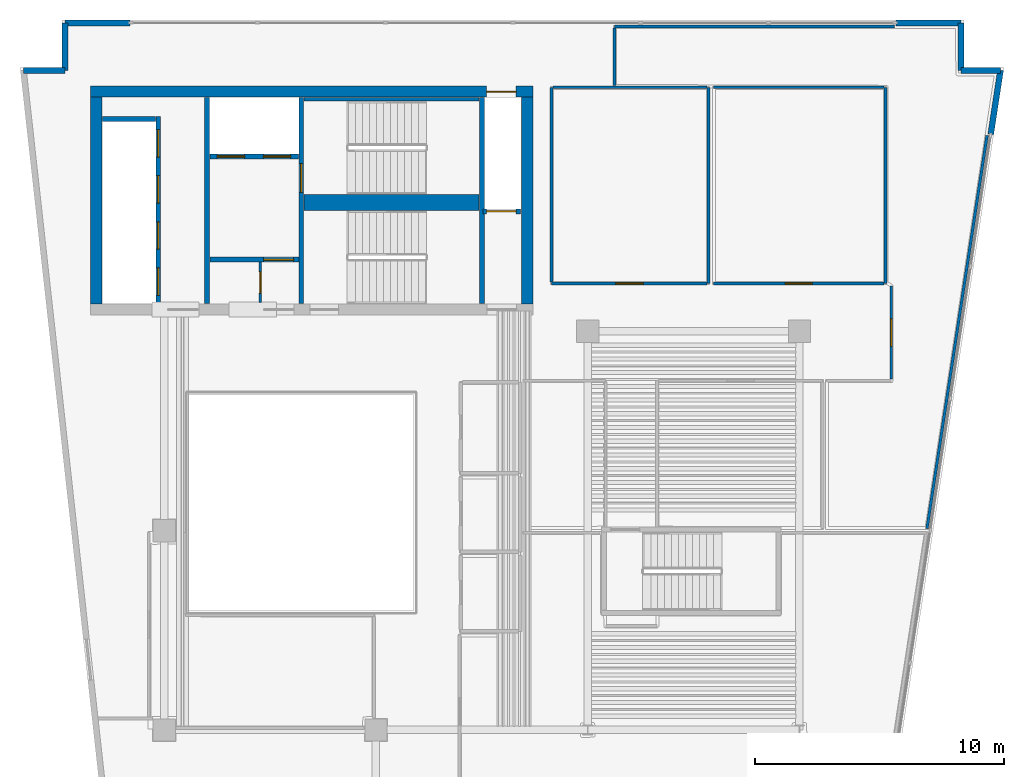
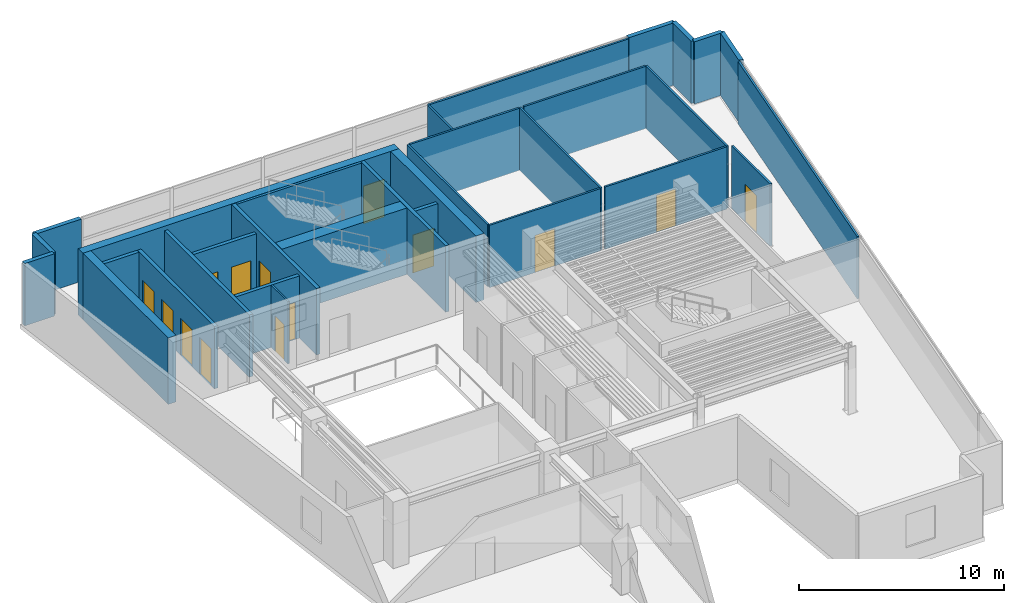
# One storey, part 5 of 8: 32 walls, 14 doors, 14 openings.
"""IFC4 building model written with IfcOpenShell, lengths in metres."""

import ifcopenshell
import ifcopenshell.guid

model = None  # the IFC model being written
_history = None  # IfcOwnerHistory: only IFC2X3 demands one
_inside = {}  # id of a spatial element -> (the spatial element, [elements in it])
_under = {}  # id of a project, library or spatial element -> (it, [spatial elements below it])
_declared = {}  # id of a project -> (the project, [libraries it declares])
_typed = {}  # id of a type object -> (the type object, [elements of that type])
_made_of = {}  # id of a material, layer set ... -> (it, [elements and type objects made of it])


def new_model(schema):
    """Start an empty IFC model of exactly this schema.

    Asked for "IFC4X3", IfcOpenShell would pick the latest addendum, in which some entities
    have other attributes; the version numbers below select the first issue.
    IFC2X3 requires an IfcOwnerHistory on every rooted entity: one is made here for all.
    """
    global model, _history
    if schema == "IFC4X3":
        model = ifcopenshell.file(schema_version=(4, 3, 0, 0))
    else:
        model = ifcopenshell.file(schema=schema)
    _inside.clear()
    _under.clear()
    _declared.clear()
    _typed.clear()
    _made_of.clear()
    _history = None
    if model.schema == "IFC2X3":
        org = make("IfcOrganization", Name="unknown")
        user = make(
            "IfcPersonAndOrganization",
            ThePerson=make("IfcPerson", FamilyName="unknown"),
            TheOrganization=org,
        )
        app = make(
            "IfcApplication",
            ApplicationDeveloper=org,
            Version="unknown",
            ApplicationFullName="unknown",
            ApplicationIdentifier="unknown",
        )
        _history = make(
            "IfcOwnerHistory",
            OwningUser=user,
            OwningApplication=app,
            ChangeAction="ADDED",
            CreationDate=0,
        )
    return model


def make(cls, **values):
    """One entity of the class cls with the attributes given. An attribute that is None is left unset."""
    return model.create_entity(
        cls, **{name: value for name, value in values.items() if value is not None}
    )


def rooted(cls, **values):
    """An entity with a GlobalId (a new one), such as an element, a storey or a relation."""
    return make(cls, GlobalId=ifcopenshell.guid.new(), OwnerHistory=_history, **values)


def si_unit(unit_type, name, prefix=None):
    """IfcSIUnit, for example si_unit("LENGTHUNIT", "METRE", prefix="MILLI")."""
    return make("IfcSIUnit", UnitType=unit_type, Prefix=prefix, Name=name)


def assignment(units):
    """IfcUnitAssignment: the units of a project."""
    return None if units is None else make("IfcUnitAssignment", Units=units)


def point(xyz):
    """IfcCartesianPoint."""
    return None if xyz is None else make("IfcCartesianPoint", Coordinates=xyz)


def direction(xyz):
    """IfcDirection."""
    return None if xyz is None else make("IfcDirection", DirectionRatios=xyz)


def frame(location, z_axis=None, x_axis=None):
    """IfcAxis2Placement3D, a coordinate frame: its origin and axes. An axis left out is left unset."""
    return make(
        "IfcAxis2Placement3D",
        Location=point(location),
        Axis=direction(z_axis),
        RefDirection=direction(x_axis),
    )


def frame_2d(location, x_axis=None):
    """IfcAxis2Placement2D, a coordinate frame in the plane: its origin and x axis."""
    return make(
        "IfcAxis2Placement2D", Location=point(location), RefDirection=direction(x_axis)
    )


def origin():
    """The frame at (0, 0, 0) with its axes left unset."""
    return frame((0.0, 0.0, 0.0))


def place(relative_to, where):
    """IfcLocalPlacement: puts the frame where relative to a parent placement (None: the world)."""
    return make(
        "IfcLocalPlacement", PlacementRelTo=relative_to, RelativePlacement=where
    )


def context(
    kind, dimensions, precision=None, world=None, true_north=None, identifier=None
):
    """IfcGeometricRepresentationContext, for example the 3D "Model" context."""
    return make(
        "IfcGeometricRepresentationContext",
        ContextIdentifier=identifier,
        ContextType=kind,
        CoordinateSpaceDimension=dimensions,
        Precision=precision,
        WorldCoordinateSystem=world,
        TrueNorth=true_north,
    )


def subcontext(parent, identifier, kind, view, scale=None):
    """IfcGeometricRepresentationSubContext, for example "Body" below "Model"."""
    return make(
        "IfcGeometricRepresentationSubContext",
        ContextIdentifier=identifier,
        ContextType=kind,
        ParentContext=parent,
        TargetScale=scale,
        TargetView=view,
    )


def project(units=None, contexts=None):
    """IfcProject with its units and contexts."""
    return rooted(
        "IfcProject",
        Name="project",
        RepresentationContexts=contexts,
        UnitsInContext=assignment(units),
    )


def spatial(cls, under=None, at=None, **own):
    """A site, building, storey or space (cls), placed at a placement, below another one or the project."""
    s = rooted(cls, ObjectPlacement=at, **own)
    if under is not None:
        _under.setdefault(under.id(), (under, []))[1].append(s)
    return s


def profile(cls, at=None, kind="AREA", **sizes):
    """A parametric profile (cls). Its sizes go by their IFC names, for example OverallWidth=200.0."""
    return make(cls, ProfileType=kind, Position=at, **sizes)


def rectangle(**sizes):
    """IfcRectangleProfileDef."""
    return profile("IfcRectangleProfileDef", **sizes)


def extrude(swept, where, along, depth):
    """IfcExtrudedAreaSolid: the profile swept, set in the frame where, extruded along a direction by depth."""
    return make(
        "IfcExtrudedAreaSolid",
        SweptArea=swept,
        Position=where,
        ExtrudedDirection=direction(along),
        Depth=depth,
    )


def shape(context_of_items, identifier, shape_type, items):
    """IfcShapeRepresentation: the items that make up one representation, for example the "Body"."""
    return make(
        "IfcShapeRepresentation",
        ContextOfItems=context_of_items,
        RepresentationIdentifier=identifier,
        RepresentationType=shape_type,
        Items=items,
    )


def material(Name=None, Category=None):
    """IfcMaterial."""
    return make("IfcMaterial", Name=Name, Category=Category)


def layer(
    of_material, thickness, ventilated=None, Name=None, Category=None, Priority=None
):
    """IfcMaterialLayer: one layer of a wall or slab, of a material (None: an air gap)."""
    return make(
        "IfcMaterialLayer",
        Material=of_material,
        LayerThickness=thickness,
        IsVentilated=ventilated,
        Name=Name,
        Category=Category,
        Priority=Priority,
    )


def layer_set(layers, Name=None):
    """IfcMaterialLayerSet."""
    return make("IfcMaterialLayerSet", MaterialLayers=layers, LayerSetName=Name)


def made_of(thing, what):
    """Note that an element or type object is made of a material, layer set ...; save() writes the relation."""
    if what is not None:
        _made_of.setdefault(what.id(), (what, []))[1].append(thing)
    return thing


def type_object(cls, material=None, **own):
    """A type object (cls), such as IfcWallType, which elements share."""
    return made_of(rooted(cls, **own), material)


def element(
    cls,
    number,
    at=None,
    inside=None,
    cuts=None,
    type_object=None,
    material=None,
    context=None,
    identifier="Body",
    shape_type=None,
    held_by="IfcProductDefinitionShape",
    body=None,
    shapes=None,
    **own,
):
    """One element of the class cls, such as IfcWall. Its Tag is "e" and its number.

    at: its placement. inside: the storey or other place that contains it. cuts: it is an
    opening in that element (IfcRelVoidsElement). A single representation is given by context,
    identifier, shape_type and body (its items); several are given by shapes. held_by: the class
    of the entity that holds the representations. save() writes the other relations.
    """
    e = rooted(cls, Tag="e%d" % number, ObjectPlacement=at, **own)
    if body is not None:
        shapes = [shape(context, identifier, shape_type, body)]
    if shapes is not None:
        e.Representation = make(held_by, Representations=shapes)
    if inside is not None:
        _inside.setdefault(inside.id(), (inside, []))[1].append(e)
    if cuts is not None:
        rooted(
            "IfcRelVoidsElement", RelatingBuildingElement=cuts, RelatedOpeningElement=e
        )
    if type_object is not None:
        _typed.setdefault(type_object.id(), (type_object, []))[1].append(e)
    return made_of(e, material)


def fill(opening, filler):
    """IfcRelFillsElement: the door or window that sits in an opening."""
    return rooted(
        "IfcRelFillsElement",
        RelatingOpeningElement=opening,
        RelatedBuildingElement=filler,
    )


def aggregate(whole, parts):
    """IfcRelAggregates: a whole, such as a stair, and the parts it consists of."""
    return rooted("IfcRelAggregates", RelatingObject=whole, RelatedObjects=parts)


def save(model, path):
    """Write the relations noted so far, then the file.

    IfcRelAggregates (storeys below a building ...), IfcRelContainedInSpatialStructure (elements
    in a storey), IfcRelDefinesByType, IfcRelAssociatesMaterial and IfcRelDeclares: one each for
    every whole, place, type object, material and project.
    """
    for whole, parts in _under.values():
        aggregate(whole, parts)
    for where, things in _inside.values():
        rooted(
            "IfcRelContainedInSpatialStructure",
            RelatedElements=things,
            RelatingStructure=where,
        )
    for kind, things in _typed.values():
        rooted("IfcRelDefinesByType", RelatedObjects=things, RelatingType=kind)
    for what, things in _made_of.values():
        rooted("IfcRelAssociatesMaterial", RelatedObjects=things, RelatingMaterial=what)
    for by, libraries in _declared.values():
        rooted("IfcRelDeclares", RelatingContext=by, RelatedDefinitions=libraries)
    model.write(path)


model = new_model("IFC4")

# Units and contexts
model_context = context("Model", 3, precision=1e-05, world=origin(), true_north=direction((0.0, 1.0)))
body_context = subcontext(model_context, "Body", "Model", "MODEL_VIEW")
ifc_project = project(units=[si_unit("LENGTHUNIT", "METRE"), si_unit("AREAUNIT", "SQUARE_METRE"), si_unit("VOLUMEUNIT", "CUBIC_METRE"), si_unit("PLANEANGLEUNIT", "RADIAN"), si_unit("MASSUNIT", "GRAM", prefix="KILO")], contexts=[model_context])

# Site, building, storey
site_placement = place(None, origin())
site = spatial("IfcSite", under=ifc_project, at=site_placement, CompositionType="ELEMENT")
building_placement = place(site_placement, origin())
building = spatial("IfcBuilding", under=site, at=building_placement, Name="Caeloran Harvest Quay", CompositionType="ELEMENT")
storey_placement = place(building_placement, frame((0.0, 0.0, 239.050048828125)))
storey = spatial("IfcBuildingStorey", under=building, at=storey_placement, Name="L57", CompositionType="ELEMENT", Elevation=239.050048828125)

# Walls
ifc_material_1 = material(Name="Precast concrete C50/60", Category="concrete")
ifc_layer_1 = layer(ifc_material_1, 0.239990234375, Name="Precast concrete C50/60")
ifc_layer_set_1 = layer_set([ifc_layer_1], Name="Precast concrete C50/60")
wall_type_1 = type_object("IfcWallType", Name="ENV-WALL-EW-240", PredefinedType="STANDARD", material=ifc_layer_set_1)
wall_1_placement = place(storey_placement, frame((2.84423828125, 41.47998046875, 0.0), z_axis=(0.0, 0.0, 1.0), x_axis=(1.0, 0.0, 0.0)))
element("IfcWall", 1, at=wall_1_placement, inside=storey, type_object=wall_type_1, Name="L57 Exterior Precast Concrete Facade Wall 4", PredefinedType="STANDARD", context=body_context, shape_type="SweptSolid", body=[
    extrude(rectangle(XDim=1.67578125, YDim=0.239990234375, at=frame_2d((0.837890625, 0.0))), origin(), (0.0, 0.0, 1.0), 3.699951171875),
])
wall_2_placement = place(storey_placement, frame((4.52001953125, 41.47998046875, 0.0), z_axis=(0.0, 0.0, 1.0), x_axis=(0.0, 1.0, 0.0)))
element("IfcWall", 2, at=wall_2_placement, inside=storey, type_object=wall_type_1, Name="L57 Exterior Precast Concrete Facade Wall 5", PredefinedType="STANDARD", context=body_context, shape_type="SweptSolid", body=[
    extrude(rectangle(XDim=1.89990234375, YDim=0.239990234375, at=frame_2d((0.949951171875, 0.0))), origin(), (0.0, 0.0, 1.0), 3.699951171875),
])
for number, where, z_axis, x_axis, name in (
    (3, (4.52001953125, 43.3798828125, 0.0), (0.0, 0.0, 1.0), (1.0, 0.0, 0.0), "L57 Exterior Facade Corner Pier Wall 6A"),
    (4, (37.8798828125, 43.3798828125, 0.0), (0.0, 0.0, 1.0), (1.0, 0.0, 0.0), "L57 Exterior Facade Corner Pier Wall 6B"),
):
    element("IfcWall", number, at=place(storey_placement, frame(where, z_axis=z_axis, x_axis=x_axis)), inside=storey, type_object=wall_type_1, Name=name, PredefinedType="STANDARD", context=body_context, shape_type="SweptSolid", body=[
        extrude(rectangle(XDim=2.60009765625, YDim=0.239990234375, at=frame_2d((1.300048828125, 0.0))), origin(), (0.0, 0.0, 1.0), 3.699951171875),
    ])
wall_3_placement = place(storey_placement, frame((40.47998046875, 43.3798828125, 0.0), z_axis=(0.0, 0.0, 1.0), x_axis=(0.0, -1.0, 0.0)))
element("IfcWall", 5, at=wall_3_placement, inside=storey, type_object=wall_type_1, Name="L57 Exterior Precast Concrete Facade Wall 7", PredefinedType="STANDARD", context=body_context, shape_type="SweptSolid", body=[
    extrude(rectangle(XDim=1.89990234375, YDim=0.239990234375, at=frame_2d((0.949951171875, 0.0))), origin(), (0.0, 0.0, 1.0), 3.699951171875),
])
wall_4_placement = place(storey_placement, frame((40.47998046875, 41.47998046875, 0.0), z_axis=(0.0, 0.0, 1.0), x_axis=(1.0, 0.0, 0.0)))
element("IfcWall", 6, at=wall_4_placement, inside=storey, type_object=wall_type_1, Name="L57 Exterior Precast Concrete Facade Wall 8", PredefinedType="STANDARD", context=body_context, shape_type="SweptSolid", body=[
    extrude(rectangle(XDim=1.590087890625, YDim=0.239990234375, at=frame_2d((0.794921875, 0.0))), origin(), (0.0, 0.0, 1.0), 3.699951171875),
])
wall_5_placement = place(storey_placement, frame((42.070068359375, 41.47998046875, 0.0), z_axis=(0.0, 0.0, 1.0), x_axis=(-0.151090396132, -0.988519950328, 0.0)))
element("IfcWall", 7, at=wall_5_placement, inside=storey, type_object=wall_type_1, Name="L57 Exterior Facade Corner Pier Wall 9A", PredefinedType="STANDARD", context=body_context, shape_type="SweptSolid", body=[
    extrude(rectangle(XDim=2.599853515625, YDim=0.239990234375, at=frame_2d((1.2998046875, 0.0))), origin(), (0.0, 0.0, 1.0), 3.699951171875),
])

# Wall, opening, door
ifc_material_2 = material(Name="Fire-Resisting Gypsum Core Riser Partition", Category="gypsum")
ifc_layer_2 = layer(ifc_material_2, 0.10009765625, Name="Fire-Resisting Gypsum Core Riser Partition")
ifc_layer_set_2 = layer_set([ifc_layer_2], Name="Fire-Resisting Gypsum Core Riser Partition")
wall_type_2 = type_object("IfcWallType", Name="INT-WALL-PW-100", PredefinedType="PARTITIONING", material=ifc_layer_set_2)
wall_6_placement = place(storey_placement, frame((12.360107421875, 32.159912109375, 0.0), z_axis=(0.0, 0.0, 1.0), x_axis=(0.0, 1.0, 0.0)))
wall_6 = element("IfcWall", 8, at=wall_6_placement, inside=storey, type_object=wall_type_2, Name="L57 Core Store Partition Wall", PredefinedType="PARTITIONING", context=body_context, shape_type="SweptSolid", body=[
    extrude(rectangle(XDim=1.6201171875, YDim=0.10009765625, at=frame_2d((0.81005859375, 0.0))), origin(), (0.0, 0.0, 1.0), 3.699951171875),
])
opening_1_placement = place(wall_6_placement, frame((0.3798828125, 0.0, 0.0)))
opening_1 = element("IfcOpeningElement", 9, at=opening_1_placement, cuts=wall_6, Name="Opening SV-01", PredefinedType="OPENING", context=body_context, shape_type="SweptSolid", body=[
    extrude(rectangle(XDim=0.85009765625, YDim=2.10009765625, at=frame_2d((0.425048828125, 1.050048828125))), frame((0.0, 0.06005859375, 0.0), z_axis=(0.0, -1.0, 0.0), x_axis=(1.0, 0.0, 0.0)), (0.0, 0.0, 1.0), 0.1201171875),
])
ifc_material_3 = material(Name="Galvanized Painted Steel", Category="steel")
door_type_1 = type_object("IfcDoorType", Name="INTDOOR-SV-01", OperationType="NOTDEFINED", PredefinedType="DOOR", material=ifc_material_3)
door_1_placement = place(opening_1_placement, origin())
door_1 = element("IfcDoor", 10, at=door_1_placement, inside=storey, type_object=door_type_1, Name="L57 Core Service Room Access Door", OperationType="SINGLE_SWING_RIGHT", OverallHeight=2.10009765625, OverallWidth=0.85009765625, PredefinedType="DOOR", context=body_context, shape_type="SweptSolid", body=[
    extrude(rectangle(XDim=0.85009765625, YDim=2.10009765625, at=frame_2d((0.425048828125, 1.050048828125))), frame((0.0, 0.02490234375, 0.0), z_axis=(0.0, -1.0, 0.0), x_axis=(1.0, 0.0, 0.0)), (0.0, 0.0, 1.0), 0.050048828125),
])
fill(opening_1, door_1)

# Wall
ifc_material_4 = material(Name="Single-Stud Acoustic Gypsum Office Partition", Category="gypsum")
ifc_layer_3 = layer(ifc_material_4, 0.112060546875, Name="Single-Stud Acoustic Gypsum Office Partition")
ifc_layer_set_3 = layer_set([ifc_layer_3], Name="Single-Stud Acoustic Gypsum Office Partition")
wall_type_3 = type_object("IfcWallType", Name="INT-WALL-PW-112", PredefinedType="PARTITIONING", material=ifc_layer_set_3)
wall_7_placement = place(storey_placement, frame((30.35009765625, 40.800048828125, 0.0), z_axis=(0.0, 0.0, 1.0), x_axis=(0.0, -1.0, 0.0)))
element("IfcWall", 11, at=wall_7_placement, inside=storey, type_object=wall_type_3, Name="L57 Bioinformatics and Crop Phenotyping Laboratory Partition Wall", PredefinedType="PARTITIONING", context=body_context, shape_type="SweptSolid", body=[
    extrude(rectangle(XDim=7.880126953125, YDim=0.112060546875, at=frame_2d((3.93994140625, 0.0))), origin(), (0.0, 0.0, 1.0), 3.699951171875),
])

# Wall, opening, door
wall_8_placement = place(storey_placement, frame((30.2890625, 32.919921875, 0.0), z_axis=(0.0, 0.0, 1.0), x_axis=(-1.0, 0.0, 0.0)))
wall_8 = element("IfcWall", 12, at=wall_8_placement, inside=storey, type_object=wall_type_3, Name="L57 Bioinformatics and Crop Phenotyping Laboratory Partition Wall", PredefinedType="PARTITIONING", context=body_context, shape_type="SweptSolid", body=[
    extrude(rectangle(XDim=6.239013671875, YDim=0.112060546875, at=frame_2d((3.11962890625, 0.0))), origin(), (0.0, 0.0, 1.0), 3.699951171875),
])
opening_2_placement = place(wall_8_placement, frame((2.569580078125, 0.0, 0.0)))
opening_2 = element("IfcOpeningElement", 13, at=opening_2_placement, cuts=wall_8, Name="Opening ID-04", PredefinedType="OPENING", context=body_context, shape_type="SweptSolid", body=[
    extrude(rectangle(XDim=1.10009765625, YDim=2.199951171875, at=frame_2d((0.550048828125, 1.10009765625))), frame((0.0, 0.06591796875, 0.0), z_axis=(0.0, -1.0, 0.0), x_axis=(1.0, 0.0, 0.0)), (0.0, 0.0, 1.0), 0.132080078125),
])
ifc_material_5 = material(Name="Acoustic Walnut Veneer Executive Door", Category="wood")
door_type_2 = type_object("IfcDoorType", Name="INTDOOR-ID-04", OperationType="NOTDEFINED", PredefinedType="DOOR", material=ifc_material_5)
door_2_placement = place(opening_2_placement, origin())
door_2 = element("IfcDoor", 14, at=door_2_placement, inside=storey, type_object=door_type_2, Name="L57 Bioinformatics and Crop Phenotyping Laboratory Access Door", OperationType="SINGLE_SWING_LEFT", OverallHeight=2.199951171875, OverallWidth=1.10009765625, PredefinedType="DOOR", context=body_context, shape_type="SweptSolid", body=[
    extrude(rectangle(XDim=1.10009765625, YDim=2.199951171875, at=frame_2d((0.550048828125, 1.10009765625))), frame((0.0, 0.02490234375, 0.0), z_axis=(0.0, -1.0, 0.0), x_axis=(1.0, 0.0, 0.0)), (0.0, 0.0, 1.0), 0.050048828125),
])
fill(opening_2, door_2)

# Walls
wall_9_placement = place(storey_placement, frame((24.050048828125, 32.98095703125, 0.0), z_axis=(0.0, 0.0, 1.0), x_axis=(0.0, 1.0, 0.0)))
element("IfcWall", 15, at=wall_9_placement, inside=storey, type_object=wall_type_3, Name="L57 Bioinformatics and Crop Phenotyping Laboratory Partition Wall", PredefinedType="PARTITIONING", context=body_context, shape_type="SweptSolid", body=[
    extrude(rectangle(XDim=7.819091796875, YDim=0.112060546875, at=frame_2d((3.90966796875, 0.0))), origin(), (0.0, 0.0, 1.0), 3.699951171875),
])
wall_10_placement = place(storey_placement, frame((24.111083984375, 40.800048828125, 0.0), z_axis=(0.0, 0.0, 1.0), x_axis=(1.0, 0.0, 0.0)))
element("IfcWall", 16, at=wall_10_placement, inside=storey, type_object=wall_type_3, Name="L57 Bioinformatics and Crop Phenotyping Laboratory Partition Wall", PredefinedType="PARTITIONING", context=body_context, shape_type="SweptSolid", body=[
    extrude(rectangle(XDim=6.177978515625, YDim=0.112060546875, at=frame_2d((3.0888671875, 0.0))), origin(), (0.0, 0.0, 1.0), 3.699951171875),
])
wall_11_placement = place(storey_placement, frame((37.449951171875, 40.800048828125, 0.0), z_axis=(0.0, 0.0, 1.0), x_axis=(0.0, -1.0, 0.0)))
element("IfcWall", 17, at=wall_11_placement, inside=storey, type_object=wall_type_3, Name="L57 Agri-Genomics Executive Strategy Boardroom Partition Wall", PredefinedType="PARTITIONING", context=body_context, shape_type="SweptSolid", body=[
    extrude(rectangle(XDim=7.880126953125, YDim=0.112060546875, at=frame_2d((3.93994140625, 0.0))), origin(), (0.0, 0.0, 1.0), 3.699951171875),
])

# Wall, opening, door
wall_12_placement = place(storey_placement, frame((37.388916015625, 32.919921875, 0.0), z_axis=(0.0, 0.0, 1.0), x_axis=(-1.0, 0.0, 0.0)))
wall_12 = element("IfcWall", 18, at=wall_12_placement, inside=storey, type_object=wall_type_3, Name="L57 Agri-Genomics Executive Strategy Boardroom Partition Wall", PredefinedType="PARTITIONING", context=body_context, shape_type="SweptSolid", body=[
    extrude(rectangle(XDim=6.8388671875, YDim=0.112060546875, at=frame_2d((3.41943359375, 0.0))), origin(), (0.0, 0.0, 1.0), 3.699951171875),
])
opening_3_placement = place(wall_12_placement, frame((2.869384765625, 0.0, 0.0)))
opening_3 = element("IfcOpeningElement", 19, at=opening_3_placement, cuts=wall_12, Name="Opening ID-04", PredefinedType="OPENING", context=body_context, shape_type="SweptSolid", body=[
    extrude(rectangle(XDim=1.10009765625, YDim=2.199951171875, at=frame_2d((0.550048828125, 1.10009765625))), frame((0.0, 0.06591796875, 0.0), z_axis=(0.0, -1.0, 0.0), x_axis=(1.0, 0.0, 0.0)), (0.0, 0.0, 1.0), 0.132080078125),
])
door_3_placement = place(opening_3_placement, origin())
door_3 = element("IfcDoor", 20, at=door_3_placement, inside=storey, type_object=door_type_2, Name="L57 Agri-Genomics Executive Strategy Boardroom Access Door", OperationType="SINGLE_SWING_RIGHT", OverallHeight=2.199951171875, OverallWidth=1.10009765625, PredefinedType="DOOR", context=body_context, shape_type="SweptSolid", body=[
    extrude(rectangle(XDim=1.10009765625, YDim=2.199951171875, at=frame_2d((0.550048828125, 1.10009765625))), frame((0.0, 0.02490234375, 0.0), z_axis=(0.0, -1.0, 0.0), x_axis=(1.0, 0.0, 0.0)), (0.0, 0.0, 1.0), 0.050048828125),
])
fill(opening_3, door_3)

# Walls
wall_13_placement = place(storey_placement, frame((30.550048828125, 40.800048828125, 0.0), z_axis=(0.0, 0.0, 1.0), x_axis=(1.0, 0.0, 0.0)))
element("IfcWall", 21, at=wall_13_placement, inside=storey, type_object=wall_type_3, Name="L57 Agri-Genomics Executive Strategy Boardroom Partition Wall", PredefinedType="PARTITIONING", context=body_context, shape_type="SweptSolid", body=[
    extrude(rectangle(XDim=6.8388671875, YDim=0.112060546875, at=frame_2d((3.41943359375, 0.0))), origin(), (0.0, 0.0, 1.0), 3.699951171875),
])
wall_14_placement = place(storey_placement, frame((26.580078125, 43.239990234375, 0.0), z_axis=(0.0, 0.0, 1.0), x_axis=(1.0, 0.0, 0.0)))
element("IfcWall", 22, at=wall_14_placement, inside=storey, type_object=wall_type_3, Name="Sawtooth Terrace Design Studio Office 7 Partition Wall", PredefinedType="PARTITIONING", context=body_context, shape_type="SweptSolid", body=[
    extrude(rectangle(XDim=11.23486328125, YDim=0.112060546875, at=frame_2d((5.617431640625, 0.0))), origin(), (0.0, 0.0, 1.0), 3.699951171875),
])
wall_15_placement = place(storey_placement, frame((41.529052734375, 38.86669921875, 0.0), z_axis=(0.0, 0.0, 1.0), x_axis=(-0.151041582551, -0.98852741001, 0.0)))
element("IfcWall", 23, at=wall_15_placement, inside=storey, type_object=wall_type_3, Name="Sawtooth Terrace Design Studio Office 7 Partition Wall", PredefinedType="PARTITIONING", context=body_context, shape_type="SweptSolid", body=[
    extrude(rectangle(XDim=15.9697265625, YDim=0.112060546875, at=frame_2d((7.98486328125, 0.0))), origin(), (0.0, 0.0, 1.0), 3.699951171875),
])

# Wall, opening, door
wall_16_placement = place(storey_placement, frame((37.679931640625, 29.0810546875, 0.0), z_axis=(0.0, 0.0, 1.0), x_axis=(0.0, 1.0, 0.0)))
wall_16 = element("IfcWall", 24, at=wall_16_placement, inside=storey, type_object=wall_type_3, Name="Sawtooth Terrace Design Studio Office 7 Partition Wall", PredefinedType="PARTITIONING", context=body_context, shape_type="SweptSolid", body=[
    extrude(rectangle(XDim=3.741943359375, YDim=0.112060546875, at=frame_2d((1.87109375, 0.0))), origin(), (0.0, 0.0, 1.0), 3.699951171875),
])
opening_4_placement = place(wall_16_placement, frame((1.321044921875, 0.0, 0.0)))
opening_4 = element("IfcOpeningElement", 25, at=opening_4_placement, cuts=wall_16, Name="Opening ID-04", PredefinedType="OPENING", context=body_context, shape_type="SweptSolid", body=[
    extrude(rectangle(XDim=1.10009765625, YDim=2.199951171875, at=frame_2d((0.550048828125, 1.10009765625))), frame((0.0, 0.06591796875, 0.0), z_axis=(0.0, -1.0, 0.0), x_axis=(1.0, 0.0, 0.0)), (0.0, 0.0, 1.0), 0.132080078125),
])
door_4_placement = place(opening_4_placement, origin())
door_4 = element("IfcDoor", 26, at=door_4_placement, inside=storey, type_object=door_type_2, Name="Sawtooth Terrace Design Studio Office 7 Access Door", OperationType="SINGLE_SWING_RIGHT", OverallHeight=2.199951171875, OverallWidth=1.10009765625, PredefinedType="DOOR", context=body_context, shape_type="SweptSolid", body=[
    extrude(rectangle(XDim=1.10009765625, YDim=2.199951171875, at=frame_2d((0.550048828125, 1.10009765625))), frame((0.0, 0.02490234375, 0.0), z_axis=(0.0, -1.0, 0.0), x_axis=(1.0, 0.0, 0.0)), (0.0, 0.0, 1.0), 0.050048828125),
])
fill(opening_4, door_4)

# Wall
wall_17_placement = place(storey_placement, frame((26.580078125, 40.861083984375, 0.0), z_axis=(0.0, 0.0, 1.0), x_axis=(0.0, 1.0, 0.0)))
element("IfcWall", 27, at=wall_17_placement, inside=storey, type_object=wall_type_3, Name="Sawtooth Terrace Design Studio Office 7 Partition Wall", PredefinedType="PARTITIONING", context=body_context, shape_type="SweptSolid", body=[
    extrude(rectangle(XDim=2.31787109375, YDim=0.112060546875, at=frame_2d((1.158935546875, 0.0))), origin(), (0.0, 0.0, 1.0), 3.699951171875),
])

# Wall, openings, doors
ifc_material_6 = material(Name="Concrete C50/60", Category="concrete")
ifc_layer_4 = layer(ifc_material_6, 0.199951171875, Name="Concrete C50/60")
ifc_layer_set_4 = layer_set([ifc_layer_4], Name="Concrete C50/60")
wall_type_4 = type_object("IfcWallType", Name="INT-WALL-SW-200", PredefinedType="PARTITIONING", material=ifc_layer_set_4)
wall_18_placement = place(storey_placement, frame((8.260009765625, 32.1201171875, 0.0), z_axis=(0.0, 0.0, 1.0), x_axis=(0.0, 1.0, 0.0)))
wall_18 = element("IfcWall", 28, at=wall_18_placement, inside=storey, type_object=wall_type_4, Name="L57 Bank 3 Lift Shaft Wall", PredefinedType="PARTITIONING", context=body_context, shape_type="SweptSolid", body=[
    extrude(rectangle(XDim=7.5, YDim=0.199951171875, at=frame_2d((3.75, 0.0))), origin(), (0.0, 0.0, 1.0), 3.699951171875),
])
opening_5_placement = place(wall_18_placement, frame((0.330078125, 0.0, 0.0)))
opening_5 = element("IfcOpeningElement", 29, at=opening_5_placement, cuts=wall_18, Name="Opening LD-01", PredefinedType="OPENING", context=body_context, shape_type="SweptSolid", body=[
    extrude(rectangle(XDim=1.10009765625, YDim=2.199951171875, at=frame_2d((0.550048828125, 1.10009765625))), frame((0.0, 0.10986328125, 0.0), z_axis=(0.0, -1.0, 0.0), x_axis=(1.0, 0.0, 0.0)), (0.0, 0.0, 1.0), 0.219970703125),
])
opening_6_placement = place(wall_18_placement, frame((2.179931640625, 0.0, 0.0)))
opening_6 = element("IfcOpeningElement", 30, at=opening_6_placement, cuts=wall_18, Name="Opening LD-01", PredefinedType="OPENING", context=body_context, shape_type="SweptSolid", body=[
    extrude(rectangle(XDim=1.10009765625, YDim=2.199951171875, at=frame_2d((0.550048828125, 1.10009765625))), frame((0.0, 0.10986328125, 0.0), z_axis=(0.0, -1.0, 0.0), x_axis=(1.0, 0.0, 0.0)), (0.0, 0.0, 1.0), 0.219970703125),
])
opening_7_placement = place(wall_18_placement, frame((4.030029296875, 0.0, 0.0)))
opening_7 = element("IfcOpeningElement", 31, at=opening_7_placement, cuts=wall_18, Name="Opening LD-01", PredefinedType="OPENING", context=body_context, shape_type="SweptSolid", body=[
    extrude(rectangle(XDim=1.10009765625, YDim=2.199951171875, at=frame_2d((0.550048828125, 1.10009765625))), frame((0.0, 0.10986328125, 0.0), z_axis=(0.0, -1.0, 0.0), x_axis=(1.0, 0.0, 0.0)), (0.0, 0.0, 1.0), 0.219970703125),
])
opening_8_placement = place(wall_18_placement, frame((5.8798828125, 0.0, 0.0)))
opening_8 = element("IfcOpeningElement", 32, at=opening_8_placement, cuts=wall_18, Name="Opening LD-01", PredefinedType="OPENING", context=body_context, shape_type="SweptSolid", body=[
    extrude(rectangle(XDim=1.10009765625, YDim=2.199951171875, at=frame_2d((0.550048828125, 1.10009765625))), frame((0.0, 0.10986328125, 0.0), z_axis=(0.0, -1.0, 0.0), x_axis=(1.0, 0.0, 0.0)), (0.0, 0.0, 1.0), 0.219970703125),
])
ifc_material_7 = material(Name="Stainless Steel Grade 316", Category="steel")
door_type_3 = type_object("IfcDoorType", Name="INTDOOR-LD-01", OperationType="NOTDEFINED", PredefinedType="DOOR", material=ifc_material_7)
door_5_placement = place(opening_5_placement, origin())
door_5 = element("IfcDoor", 33, at=door_5_placement, inside=storey, type_object=door_type_3, Name="Lift P3-1 Sliding Landing Door (L57)", OperationType="DOUBLE_DOOR_SLIDING", OverallHeight=2.199951171875, OverallWidth=1.10009765625, PredefinedType="DOOR", context=body_context, shape_type="SweptSolid", body=[
    extrude(rectangle(XDim=1.10009765625, YDim=2.199951171875, at=frame_2d((0.550048828125, 1.10009765625))), frame((0.0, 0.02490234375, 0.0), z_axis=(0.0, -1.0, 0.0), x_axis=(1.0, 0.0, 0.0)), (0.0, 0.0, 1.0), 0.050048828125),
])
fill(opening_5, door_5)
door_6_placement = place(opening_6_placement, origin())
door_6 = element("IfcDoor", 34, at=door_6_placement, inside=storey, type_object=door_type_3, Name="Lift P3-2 Sliding Landing Door (L57)", OperationType="DOUBLE_DOOR_SLIDING", OverallHeight=2.199951171875, OverallWidth=1.10009765625, PredefinedType="DOOR", context=body_context, shape_type="SweptSolid", body=[
    extrude(rectangle(XDim=1.10009765625, YDim=2.199951171875, at=frame_2d((0.550048828125, 1.10009765625))), frame((0.0, 0.02490234375, 0.0), z_axis=(0.0, -1.0, 0.0), x_axis=(1.0, 0.0, 0.0)), (0.0, 0.0, 1.0), 0.050048828125),
])
fill(opening_6, door_6)
door_7_placement = place(opening_7_placement, origin())
door_7 = element("IfcDoor", 35, at=door_7_placement, inside=storey, type_object=door_type_3, Name="Lift P3-3 Sliding Landing Door (L57)", OperationType="DOUBLE_DOOR_SLIDING", OverallHeight=2.199951171875, OverallWidth=1.10009765625, PredefinedType="DOOR", context=body_context, shape_type="SweptSolid", body=[
    extrude(rectangle(XDim=1.10009765625, YDim=2.199951171875, at=frame_2d((0.550048828125, 1.10009765625))), frame((0.0, 0.02490234375, 0.0), z_axis=(0.0, -1.0, 0.0), x_axis=(1.0, 0.0, 0.0)), (0.0, 0.0, 1.0), 0.050048828125),
])
fill(opening_7, door_7)
door_8_placement = place(opening_8_placement, origin())
door_8 = element("IfcDoor", 36, at=door_8_placement, inside=storey, type_object=door_type_3, Name="Lift P3-4 Sliding Landing Door (L57)", OperationType="DOUBLE_DOOR_SLIDING", OverallHeight=2.199951171875, OverallWidth=1.10009765625, PredefinedType="DOOR", context=body_context, shape_type="SweptSolid", body=[
    extrude(rectangle(XDim=1.10009765625, YDim=2.199951171875, at=frame_2d((0.550048828125, 1.10009765625))), frame((0.0, 0.02490234375, 0.0), z_axis=(0.0, -1.0, 0.0), x_axis=(1.0, 0.0, 0.0)), (0.0, 0.0, 1.0), 0.050048828125),
])
fill(opening_8, door_8)

# Walls
wall_19_placement = place(storey_placement, frame((6.02001953125, 39.52001953125, 0.0), z_axis=(0.0, 0.0, 1.0), x_axis=(1.0, 0.0, 0.0)))
element("IfcWall", 37, at=wall_19_placement, inside=storey, type_object=wall_type_4, Name="L57 Bank 3 Lift Shaft North End Wall", PredefinedType="PARTITIONING", context=body_context, shape_type="SweptSolid", body=[
    extrude(rectangle(XDim=2.119873046875, YDim=0.199951171875, at=frame_2d((1.06005859375, 0.0))), origin(), (0.0, 0.0, 1.0), 3.699951171875),
])
wall_20_placement = place(storey_placement, frame((10.219970703125, 32.1201171875, 0.0), z_axis=(0.0, 0.0, 1.0), x_axis=(0.0, 1.0, 0.0)))
element("IfcWall", 38, at=wall_20_placement, inside=storey, type_object=wall_type_4, Name="L57 Core Lobby Compartment Wall", PredefinedType="PARTITIONING", context=body_context, shape_type="SweptSolid", body=[
    extrude(rectangle(XDim=8.259765625, YDim=0.199951171875, at=frame_2d((4.1298828125, 0.0))), origin(), (0.0, 0.0, 1.0), 3.699951171875),
])

# Wall, openings, doors
wall_21_placement = place(storey_placement, frame((10.340087890625, 38.02001953125, 0.0), z_axis=(0.0, 0.0, 1.0), x_axis=(1.0, 0.0, 0.0)))
wall_21 = element("IfcWall", 39, at=wall_21_placement, inside=storey, type_object=wall_type_4, Name="L57 Firefighting Lift Shaft Wall", PredefinedType="PARTITIONING", context=body_context, shape_type="SweptSolid", body=[
    extrude(rectangle(XDim=3.539794921875, YDim=0.199951171875, at=frame_2d((1.77001953125, 0.0))), origin(), (0.0, 0.0, 1.0), 3.699951171875),
])
opening_9_placement = place(wall_21_placement, frame((0.284912109375, 0.0, 0.0)))
opening_9 = element("IfcOpeningElement", 40, at=opening_9_placement, cuts=wall_21, Name="Opening LD-01", PredefinedType="OPENING", context=body_context, shape_type="SweptSolid", body=[
    extrude(rectangle(XDim=1.10009765625, YDim=2.199951171875, at=frame_2d((0.550048828125, 1.10009765625))), frame((0.0, 0.10986328125, 0.0), z_axis=(0.0, -1.0, 0.0), x_axis=(1.0, 0.0, 0.0)), (0.0, 0.0, 1.0), 0.219970703125),
])
opening_10_placement = place(wall_21_placement, frame((2.135009765625, 0.0, 0.0)))
opening_10 = element("IfcOpeningElement", 41, at=opening_10_placement, cuts=wall_21, Name="Opening LD-01", PredefinedType="OPENING", context=body_context, shape_type="SweptSolid", body=[
    extrude(rectangle(XDim=1.10009765625, YDim=2.199951171875, at=frame_2d((0.550048828125, 1.10009765625))), frame((0.0, 0.10986328125, 0.0), z_axis=(0.0, -1.0, 0.0), x_axis=(1.0, 0.0, 0.0)), (0.0, 0.0, 1.0), 0.219970703125),
])
door_9_placement = place(opening_9_placement, origin())
door_9 = element("IfcDoor", 42, at=door_9_placement, inside=storey, type_object=door_type_3, Name="Lift FF-1 Sliding Landing Door (L57)", OperationType="DOUBLE_DOOR_SLIDING", OverallHeight=2.199951171875, OverallWidth=1.10009765625, PredefinedType="DOOR", context=body_context, shape_type="SweptSolid", body=[
    extrude(rectangle(XDim=1.10009765625, YDim=2.199951171875, at=frame_2d((0.550048828125, 1.10009765625))), frame((0.0, 0.02490234375, 0.0), z_axis=(0.0, -1.0, 0.0), x_axis=(1.0, 0.0, 0.0)), (0.0, 0.0, 1.0), 0.050048828125),
])
fill(opening_9, door_9)
door_10_placement = place(opening_10_placement, origin())
door_10 = element("IfcDoor", 43, at=door_10_placement, inside=storey, type_object=door_type_3, Name="Lift FF-2 Sliding Landing Door (L57)", OperationType="DOUBLE_DOOR_SLIDING", OverallHeight=2.199951171875, OverallWidth=1.10009765625, PredefinedType="DOOR", context=body_context, shape_type="SweptSolid", body=[
    extrude(rectangle(XDim=1.10009765625, YDim=2.199951171875, at=frame_2d((0.550048828125, 1.10009765625))), frame((0.0, 0.02490234375, 0.0), z_axis=(0.0, -1.0, 0.0), x_axis=(1.0, 0.0, 0.0)), (0.0, 0.0, 1.0), 0.050048828125),
])
fill(opening_10, door_10)

# Wall, opening, door
wall_22_placement = place(storey_placement, frame((10.340087890625, 33.8798828125, 0.0), z_axis=(0.0, 0.0, 1.0), x_axis=(1.0, 0.0, 0.0)))
wall_22 = element("IfcWall", 44, at=wall_22_placement, inside=storey, type_object=wall_type_4, Name="L57 Firefighting Lift Lobby Enclosure Wall", PredefinedType="PARTITIONING", context=body_context, shape_type="SweptSolid", body=[
    extrude(rectangle(XDim=3.559814453125, YDim=0.199951171875, at=frame_2d((1.77978515625, 0.0))), origin(), (0.0, 0.0, 1.0), 3.699951171875),
])
opening_11_placement = place(wall_22_placement, frame((2.14990234375, 0.0, 0.0)))
opening_11 = element("IfcOpeningElement", 45, at=opening_11_placement, cuts=wall_22, Name="Opening FD-01", PredefinedType="OPENING", context=body_context, shape_type="SweptSolid", body=[
    extrude(rectangle(XDim=1.199951171875, YDim=2.199951171875, at=frame_2d((0.60009765625, 1.10009765625))), frame((0.0, 0.10986328125, 0.0), z_axis=(0.0, -1.0, 0.0), x_axis=(1.0, 0.0, 0.0)), (0.0, 0.0, 1.0), 0.219970703125),
])
ifc_material_8 = material(Name="Steel", Category="steel")
door_type_4 = type_object("IfcDoorType", Name="INTDOOR-FD-01", OperationType="NOTDEFINED", PredefinedType="DOOR", material=ifc_material_8)
door_11_placement = place(opening_11_placement, origin())
door_11 = element("IfcDoor", 46, at=door_11_placement, inside=storey, type_object=door_type_4, Name="L57 Firefighting Lift Lobby Smoke-Seal Fire Door", OperationType="SINGLE_SWING_LEFT", OverallHeight=2.199951171875, OverallWidth=1.199951171875, PredefinedType="DOOR", context=body_context, shape_type="SweptSolid", body=[
    extrude(rectangle(XDim=1.199951171875, YDim=2.199951171875, at=frame_2d((0.60009765625, 1.10009765625))), frame((0.0, 0.02490234375, 0.0), z_axis=(0.0, -1.0, 0.0), x_axis=(1.0, 0.0, 0.0)), (0.0, 0.0, 1.0), 0.050048828125),
])
fill(opening_11, door_11)

wall_23_placement = place(storey_placement, frame((21.300048828125, 35.820068359375, 0.0), z_axis=(0.0, 0.0, 1.0), x_axis=(1.0, 0.0, 0.0)))
wall_23 = element("IfcWall", 47, at=wall_23_placement, inside=storey, type_object=wall_type_4, Name="L57 Service Lift SV-2 Shaft Wall", PredefinedType="PARTITIONING", context=body_context, shape_type="SweptSolid", body=[
    extrude(rectangle(XDim=1.5, YDim=0.199951171875, at=frame_2d((0.75, 0.0))), origin(), (0.0, 0.0, 1.0), 3.699951171875),
])
opening_12_placement = place(wall_23_placement, frame((0.14501953125, 0.0, 0.0)))
opening_12 = element("IfcOpeningElement", 48, at=opening_12_placement, cuts=wall_23, Name="Opening LD-02", PredefinedType="OPENING", context=body_context, shape_type="SweptSolid", body=[
    extrude(rectangle(XDim=1.179931640625, YDim=2.25, at=frame_2d((0.58984375, 1.125))), frame((0.0, 0.10986328125, 0.0), z_axis=(0.0, -1.0, 0.0), x_axis=(1.0, 0.0, 0.0)), (0.0, 0.0, 1.0), 0.219970703125),
])
door_type_5 = type_object("IfcDoorType", Name="INTDOOR-LD-02", OperationType="NOTDEFINED", PredefinedType="DOOR", material=ifc_material_7)
door_12_placement = place(opening_12_placement, origin())
door_12 = element("IfcDoor", 49, at=door_12_placement, inside=storey, type_object=door_type_5, Name="Lift SV-2 Sliding Landing Door (L57)", OperationType="DOUBLE_DOOR_SLIDING", OverallHeight=2.25, OverallWidth=1.179931640625, PredefinedType="DOOR", context=body_context, shape_type="SweptSolid", body=[
    extrude(rectangle(XDim=1.179931640625, YDim=2.25, at=frame_2d((0.58984375, 1.125))), frame((0.0, 0.02490234375, 0.0), z_axis=(0.0, -1.0, 0.0), x_axis=(1.0, 0.0, 0.0)), (0.0, 0.0, 1.0), 0.050048828125),
])
fill(opening_12, door_12)

ifc_material_9 = material(Name="Concrete C60/75", Category="concrete")
ifc_layer_5 = layer(ifc_material_9, 0.449951171875, Name="Concrete C60/75")
ifc_layer_set_5 = layer_set([ifc_layer_5], Name="Concrete C60/75")
wall_type_5 = type_object("IfcWallType", Name="STR-WALL-CW-450", PredefinedType="SHEAR", material=ifc_layer_set_5)
wall_24_placement = place(storey_placement, frame((5.550048828125, 40.625, 0.0), z_axis=(0.0, 0.0, 1.0), x_axis=(1.0, 0.0, 0.0)))
wall_24 = element("IfcWall", 50, at=wall_24_placement, inside=storey, type_object=wall_type_5, Name="L57 Rear Core Shear Wall N", PredefinedType="SHEAR", context=body_context, shape_type="SweptSolid", body=[
    extrude(rectangle(XDim=17.75, YDim=0.449951171875, at=frame_2d((8.875, 0.0))), origin(), (0.0, 0.0, 1.0), 3.949951171875),
])
opening_13_placement = place(wall_24_placement, frame((15.89501953125, 0.0, 0.0)))
opening_13 = element("IfcOpeningElement", 51, at=opening_13_placement, cuts=wall_24, Name="Opening LD-02", PredefinedType="OPENING", context=body_context, shape_type="SweptSolid", body=[
    extrude(rectangle(XDim=1.179931640625, YDim=2.25, at=frame_2d((0.58984375, 1.125))), frame((0.0, 0.23486328125, 0.0), z_axis=(0.0, -1.0, 0.0), x_axis=(1.0, 0.0, 0.0)), (0.0, 0.0, 1.0), 0.469970703125),
])
door_13_placement = place(opening_13_placement, origin())
door_13 = element("IfcDoor", 52, at=door_13_placement, inside=storey, type_object=door_type_5, Name="Lift SV-1 Sliding Landing Door (L57)", OperationType="DOUBLE_DOOR_SLIDING", OverallHeight=2.25, OverallWidth=1.179931640625, PredefinedType="DOOR", context=body_context, shape_type="SweptSolid", body=[
    extrude(rectangle(XDim=1.179931640625, YDim=2.25, at=frame_2d((0.58984375, 1.125))), frame((0.0, 0.02490234375, 0.0), z_axis=(0.0, -1.0, 0.0), x_axis=(1.0, 0.0, 0.0)), (0.0, 0.0, 1.0), 0.050048828125),
])
fill(opening_13, door_13)

# Walls
for number, where, z_axis, x_axis, name in (
    (53, (5.77490234375, 32.10009765625, 0.0), (0.0, 0.0, 1.0), (0.0, 1.0, 0.0), "L57 Rear Core Shear Wall W"),
    (54, (23.074951171875, 32.10009765625, 0.0), (0.0, 0.0, 1.0), (0.0, 1.0, 0.0), "L57 Rear Core Shear Wall E"),
):
    element("IfcWall", number, at=place(storey_placement, frame(where, z_axis=z_axis, x_axis=x_axis)), inside=storey, type_object=wall_type_5, Name=name, PredefinedType="SHEAR", context=body_context, shape_type="SweptSolid", body=[
        extrude(rectangle(XDim=8.2998046875, YDim=0.449951171875, at=frame_2d((4.14990234375, 0.0))), origin(), (0.0, 0.0, 1.0), 3.949951171875),
    ])
ifc_layer_6 = layer(ifc_material_9, 0.64990234375, Name="Concrete C60/75")
ifc_layer_set_6 = layer_set([ifc_layer_6], Name="Concrete C60/75")
wall_type_6 = type_object("IfcWallType", Name="STR-WALL-CW-650", PredefinedType="SHEAR", material=ifc_layer_set_6)
wall_25_placement = place(storey_placement, frame((14.1201171875, 36.175048828125, 0.0), z_axis=(0.0, 0.0, 1.0), x_axis=(1.0, 0.0, 0.0)))
element("IfcWall", 55, at=wall_25_placement, inside=storey, type_object=wall_type_6, Name="L57 Core Stairs Dividing Shear Wall", PredefinedType="SHEAR", context=body_context, shape_type="SweptSolid", body=[
    extrude(rectangle(XDim=7.009765625, YDim=0.64990234375, at=frame_2d((3.5048828125, 0.0))), origin(), (0.0, 0.0, 1.0), 3.949951171875),
])
ifc_layer_7 = layer(ifc_material_9, 0.139892578125, Name="Concrete C60/75")
ifc_layer_set_7 = layer_set([ifc_layer_7], Name="Concrete C60/75")
wall_type_7 = type_object("IfcWallType", Name="STR-WALL-SW-140", PredefinedType="SHEAR", material=ifc_layer_set_7)
wall_26_placement = place(storey_placement, frame((14.1201171875, 40.320068359375, 0.0), z_axis=(0.0, 0.0, 1.0), x_axis=(1.0, 0.0, 0.0)))
element("IfcWall", 56, at=wall_26_placement, inside=storey, type_object=wall_type_7, Name="L57 Core Stair ST-C1 North Bearing Shear Wall", PredefinedType="SHEAR", context=body_context, shape_type="SweptSolid", body=[
    extrude(rectangle(XDim=7.009765625, YDim=0.139892578125, at=frame_2d((3.5048828125, 0.0))), origin(), (0.0, 0.0, 1.0), 3.949951171875),
])

# Wall, opening, door
ifc_layer_8 = layer(ifc_material_9, 0.199951171875, Name="Concrete C60/75")
ifc_layer_set_8 = layer_set([ifc_layer_8], Name="Concrete C60/75")
wall_type_8 = type_object("IfcWallType", Name="STR-WALL-SW-200", PredefinedType="SHEAR", material=ifc_layer_set_8)
wall_27_placement = place(storey_placement, frame((14.0, 32.1201171875, 0.0), z_axis=(0.0, 0.0, 1.0), x_axis=(0.0, 1.0, 0.0)))
wall_27 = element("IfcWall", 57, at=wall_27_placement, inside=storey, type_object=wall_type_8, Name="L57 Core Stair Shaft West Shear Wall", PredefinedType="SHEAR", context=body_context, shape_type="SweptSolid", body=[
    extrude(rectangle(XDim=8.259765625, YDim=0.199951171875, at=frame_2d((4.1298828125, 0.0))), origin(), (0.0, 0.0, 1.0), 3.949951171875),
])
opening_14_placement = place(wall_27_placement, frame((4.4599609375, 0.0, 0.0)))
opening_14 = element("IfcOpeningElement", 58, at=opening_14_placement, cuts=wall_27, Name="Opening SD-01", PredefinedType="OPENING", context=body_context, shape_type="SweptSolid", body=[
    extrude(rectangle(XDim=1.14990234375, YDim=2.199951171875, at=frame_2d((0.574951171875, 1.10009765625))), frame((0.0, 0.10986328125, 0.0), z_axis=(0.0, -1.0, 0.0), x_axis=(1.0, 0.0, 0.0)), (0.0, 0.0, 1.0), 0.219970703125),
])
door_type_6 = type_object("IfcDoorType", Name="INTDOOR-SD-01", OperationType="NOTDEFINED", PredefinedType="DOOR", material=ifc_material_8)
door_14_placement = place(opening_14_placement, origin())
door_14 = element("IfcDoor", 59, at=door_14_placement, inside=storey, type_object=door_type_6, Name="L57 Protected Stair ST-C1 Exit Door", OperationType="SINGLE_SWING_LEFT", OverallHeight=2.199951171875, OverallWidth=1.14990234375, PredefinedType="DOOR", context=body_context, shape_type="SweptSolid", body=[
    extrude(rectangle(XDim=1.14990234375, YDim=2.199951171875, at=frame_2d((0.574951171875, 1.10009765625))), frame((0.0, 0.02490234375, 0.0), z_axis=(0.0, -1.0, 0.0), x_axis=(1.0, 0.0, 0.0)), (0.0, 0.0, 1.0), 0.050048828125),
])
fill(opening_14, door_14)

# Wall
wall_28_placement = place(storey_placement, frame((21.25, 32.1201171875, 0.0), z_axis=(0.0, 0.0, 1.0), x_axis=(0.0, 1.0, 0.0)))
element("IfcWall", 60, at=wall_28_placement, inside=storey, type_object=wall_type_8, Name="L57 Core Stair Shaft East Shear Wall", PredefinedType="SHEAR", context=body_context, shape_type="SweptSolid", body=[
    extrude(rectangle(XDim=8.259765625, YDim=0.199951171875, at=frame_2d((4.1298828125, 0.0))), origin(), (0.0, 0.0, 1.0), 3.949951171875),
])

save(model, "model.ifc")
